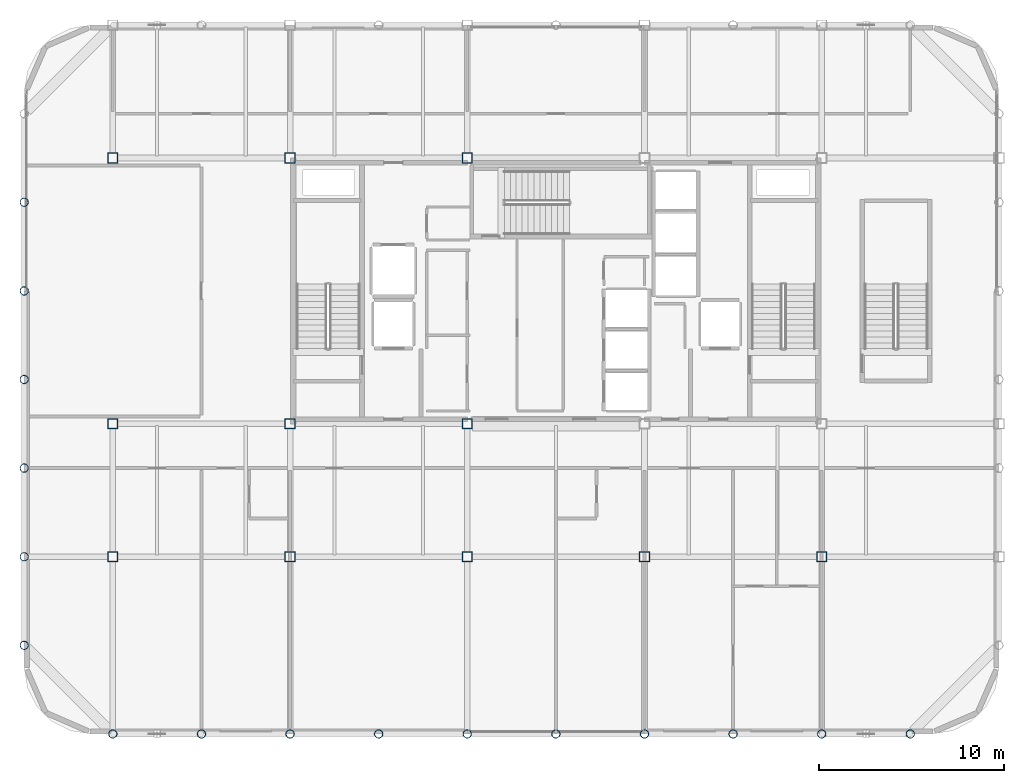
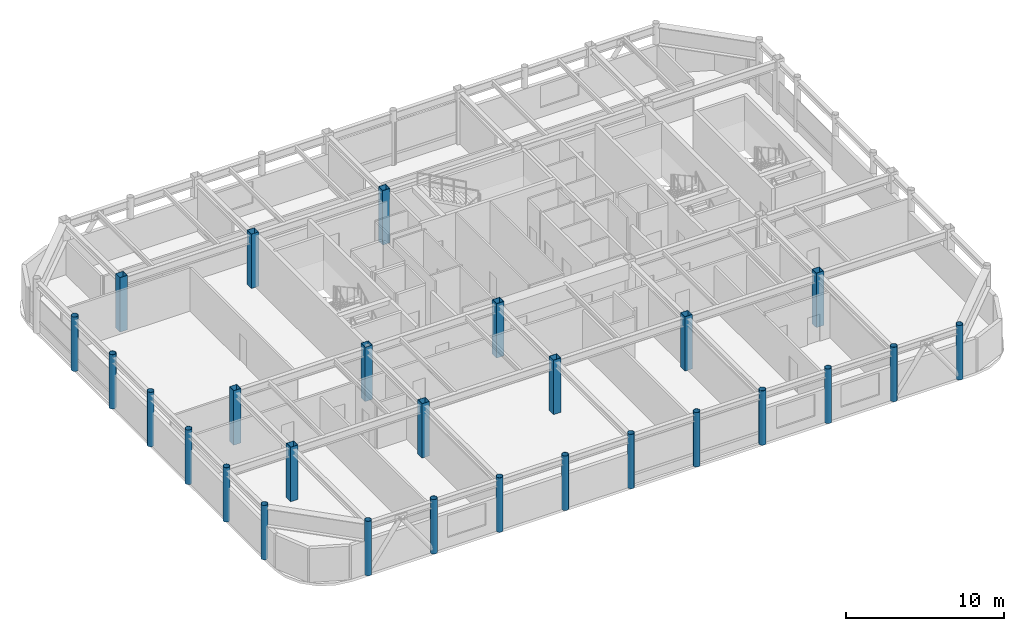
# One storey, part 1 of 21: 27 columns.
"""IFC4 building model written with IfcOpenShell, lengths in metres."""

from ifc_helpers import new_model, si_unit, direction, frame, origin, origin_2d, place, context, subcontext, project, spatial, hollow_rectangle, hollow_circle, extrude, material, material_profile, profile_set, type_object, element, save


model = new_model("IFC4")

# Units and contexts
model_context = context("Model", 3, precision=1e-05, world=origin(), true_north=direction((0.0, 1.0)))
body_context = subcontext(model_context, "Body", "Model", "MODEL_VIEW")
ifc_project = project(units=[si_unit("LENGTHUNIT", "METRE"), si_unit("AREAUNIT", "SQUARE_METRE"), si_unit("VOLUMEUNIT", "CUBIC_METRE"), si_unit("PLANEANGLEUNIT", "RADIAN"), si_unit("MASSUNIT", "GRAM", prefix="KILO")], contexts=[model_context])

# Site, building, storey
site_placement = place(None, origin())
site = spatial("IfcSite", under=ifc_project, at=site_placement, CompositionType="ELEMENT")
building_placement = place(site_placement, origin())
building = spatial("IfcBuilding", under=site, at=building_placement, Name="Kallvorn Hotel Tower", CompositionType="ELEMENT")
storey_placement = place(building_placement, frame((0.0, 0.0, 286.39990234375)))
storey = spatial("IfcBuildingStorey", under=building, at=storey_placement, Name="L71", CompositionType="ELEMENT", Elevation=286.39990234375)

# Columns
ifc_material_1 = material(Name="Structural steel S355J2H", Category="steel")
ifc_material_profile_1 = material_profile(ifc_material_1, hollow_circle(Radius=0.228515625, WallThickness=0.02001953125, at=origin_2d()), Name="CHS 457x20")
ifc_profile_set_1 = profile_set([ifc_material_profile_1], Name="Structural steel S355J2H")
column_type_1 = type_object("IfcColumnType", Name="COL_CHS_457", PredefinedType="COLUMN", material=ifc_profile_set_1)
for number, where, z_axis, x_axis, name in (
    (1, (-28.800048828125, -19.199951171875, 0.0), (0.0, 0.0, 1.0), (1.0, 0.0, 0.0), "L71 Exoskeleton Column EC01"),
    (2, (-28.800048828125, -14.39990234375, 0.0), (0.0, 0.0, 1.0), (1.0, 0.0, 0.0), "L71 Exoskeleton Column EC02"),
    (3, (-28.800048828125, -9.60009765625, 0.0), (0.0, 0.0, 1.0), (1.0, 0.0, 0.0), "L71 Exoskeleton Column EC03"),
    (4, (-28.800048828125, -4.800048828125, 0.0), (0.0, 0.0, 1.0), (1.0, 0.0, 0.0), "L71 Exoskeleton Column EC04"),
    (5, (-28.800048828125, 0.0, 0.0), (0.0, 0.0, 1.0), (1.0, 0.0, 0.0), "L71 Exoskeleton Column EC05"),
    (6, (-28.800048828125, 4.800048828125, 0.0), (0.0, 0.0, 1.0), (1.0, 0.0, 0.0), "L71 Exoskeleton Column EC06"),
    (7, (-24.0, -24.0, 0.0), (0.0, 0.0, 1.0), (1.0, 0.0, 0.0), "L71 Exoskeleton Column EC08"),
    (8, (-19.199951171875, -24.0, 0.0), (0.0, 0.0, 1.0), (1.0, 0.0, 0.0), "L71 Exoskeleton Column EC09"),
    (9, (-14.39990234375, -24.0, 0.0), (0.0, 0.0, 1.0), (1.0, 0.0, 0.0), "L71 Exoskeleton Column EC11"),
    (10, (-9.60009765625, -24.0, 0.0), (0.0, 0.0, 1.0), (1.0, 0.0, 0.0), "L71 Exoskeleton Column EC12"),
    (11, (-4.800048828125, -24.0, 0.0), (0.0, 0.0, 1.0), (1.0, 0.0, 0.0), "L71 Exoskeleton Column EC14"),
    (12, (0.0, -24.0, 0.0), (0.0, 0.0, 1.0), (1.0, 0.0, 0.0), "L71 Exoskeleton Column EC15"),
    (13, (4.800048828125, -24.0, 0.0), (0.0, 0.0, 1.0), (1.0, 0.0, 0.0), "L71 Exoskeleton Column EC17"),
    (14, (9.60009765625, -24.0, 0.0), (0.0, 0.0, 1.0), (1.0, 0.0, 0.0), "L71 Exoskeleton Column EC18"),
    (15, (14.39990234375, -24.0, 0.0), (0.0, 0.0, 1.0), (1.0, 0.0, 0.0), "L71 Exoskeleton Column EC20"),
    (16, (19.199951171875, -24.0, 0.0), (0.0, 0.0, 1.0), (1.0, 0.0, 0.0), "L71 Exoskeleton Column EC21"),
):
    element("IfcColumn", number, at=place(storey_placement, frame(where, z_axis=z_axis, x_axis=x_axis)), inside=storey, type_object=column_type_1, Name=name, PredefinedType="COLUMN", context=body_context, shape_type="SweptSolid", body=[
        extrude(hollow_circle(Radius=0.228515625, WallThickness=0.02001953125, at=origin_2d()), origin(), (0.0, 0.0, 1.0), 4.2001953125),
    ])
ifc_material_2 = material(Name="Structural steel S355J2H", Category="steel")
ifc_material_profile_2 = material_profile(ifc_material_2, hollow_rectangle(XDim=0.550048828125, YDim=0.550048828125, WallThickness=0.02490234375, at=origin_2d()), Name="RHS 550x550x25")
ifc_profile_set_2 = profile_set([ifc_material_profile_2], Name="Structural steel S355J2H")
column_type_2 = type_object("IfcColumnType", Name="COL_RHS_550", PredefinedType="COLUMN", material=ifc_profile_set_2)
for number, where, z_axis, x_axis, name in (
    (17, (-24.0, -14.39990234375, 0.0), (0.0, 0.0, 1.0), (1.0, 0.0, 0.0), "L71 Inner Column IC01"),
    (18, (-24.0, -7.199951171875, 0.0), (0.0, 0.0, 1.0), (1.0, 0.0, 0.0), "L71 Inner Column IC02"),
    (19, (-24.0, 7.199951171875, 0.0), (0.0, 0.0, 1.0), (1.0, 0.0, 0.0), "L71 Inner Column IC03"),
    (20, (-14.39990234375, -14.39990234375, 0.0), (0.0, 0.0, 1.0), (1.0, 0.0, 0.0), "L71 Inner Column IC05"),
    (21, (-14.39990234375, -7.199951171875, 0.0), (0.0, 0.0, 1.0), (1.0, 0.0, 0.0), "L71 Inner Column IC06"),
    (22, (-14.39990234375, 7.199951171875, 0.0), (0.0, 0.0, 1.0), (1.0, 0.0, 0.0), "L71 Inner Column IC07"),
    (23, (-4.800048828125, -14.39990234375, 0.0), (0.0, 0.0, 1.0), (1.0, 0.0, 0.0), "L71 Inner Column IC09"),
    (24, (-4.800048828125, -7.199951171875, 0.0), (0.0, 0.0, 1.0), (1.0, 0.0, 0.0), "L71 Inner Column IC10"),
    (25, (-4.800048828125, 7.199951171875, 0.0), (0.0, 0.0, 1.0), (1.0, 0.0, 0.0), "L71 Inner Column IC11"),
    (26, (4.800048828125, -14.39990234375, 0.0), (0.0, 0.0, 1.0), (1.0, 0.0, 0.0), "L71 Inner Column IC13"),
    (27, (14.39990234375, -14.39990234375, 0.0), (0.0, 0.0, 1.0), (1.0, 0.0, 0.0), "L71 Inner Column IC17"),
):
    element("IfcColumn", number, at=place(storey_placement, frame(where, z_axis=z_axis, x_axis=x_axis)), inside=storey, type_object=column_type_2, Name=name, PredefinedType="COLUMN", context=body_context, shape_type="SweptSolid", body=[
        extrude(hollow_rectangle(XDim=0.550048828125, YDim=0.550048828125, WallThickness=0.02490234375, at=origin_2d()), origin(), (0.0, 0.0, 1.0), 4.2001953125),
    ])

save(model, "model.ifc")
